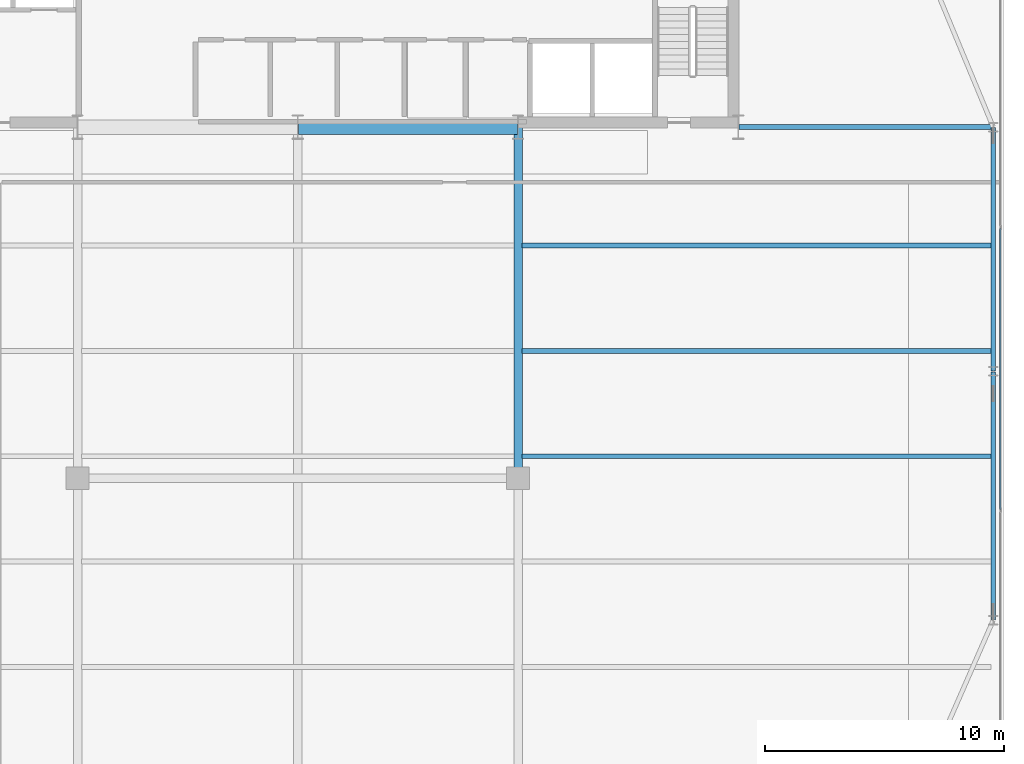
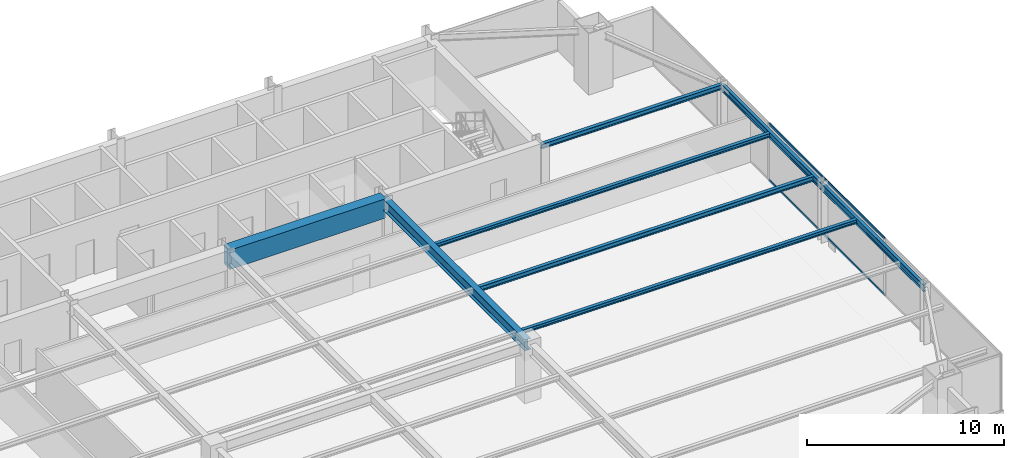
# One storey, part 19 of 32: 8 beams, 2 members, 1 element without a shape of its own.
"""IFC4 building model written with IfcOpenShell, lengths in metres."""

from ifc_helpers import new_model, si_unit, direction, frame, origin, origin_2d, place, context, subcontext, project, spatial, rectangle, hollow_rectangle, i_section, extrude, source, transform, mapped, material, layer, layer_set, material_profile, profile_set, type_object, type_shapes, element, aggregate, save


model = new_model("IFC4")

# Units and contexts
model_context = context("Model", 3, precision=1e-05, world=origin(), true_north=direction((0.0, 1.0)))
body_context = subcontext(model_context, "Body", "Model", "MODEL_VIEW")
ifc_project = project(units=[si_unit("LENGTHUNIT", "METRE"), si_unit("AREAUNIT", "SQUARE_METRE"), si_unit("VOLUMEUNIT", "CUBIC_METRE"), si_unit("PLANEANGLEUNIT", "RADIAN"), si_unit("MASSUNIT", "GRAM", prefix="KILO")], contexts=[model_context])

# Site, building, storey
site_placement = place(None, origin())
site = spatial("IfcSite", under=ifc_project, at=site_placement, CompositionType="ELEMENT")
building_placement = place(site_placement, origin())
building = spatial("IfcBuilding", under=site, at=building_placement, Name="Varnel Quay Broadcast Tower", CompositionType="ELEMENT")
storey_placement = place(building_placement, frame((0.0, 0.0, 90.800048828125)))
storey = spatial("IfcBuildingStorey", under=building, at=storey_placement, Name="L21", CompositionType="ELEMENT", Elevation=90.800048828125)

# Beams
ifc_material_1 = material(Name="Structural Steel CSA G40.21 350W", Category="steel")
ifc_material_profile_1 = material_profile(ifc_material_1, i_section(OverallWidth=0.180908203125, OverallDepth=0.4169921875, WebThickness=0.010986328125, FlangeThickness=0.018310546875, FilletRadius=0.011962890625, at=origin_2d()), Name="W410X85")
ifc_profile_set_1 = profile_set([ifc_material_profile_1], Name="Structural Steel CSA G40.21 350W")
beam_type_1 = type_object("IfcBeamType", Name="Beam_W410X85", PredefinedType="SPANDREL", material=ifc_profile_set_1)
shared_shape_1 = source(origin(), body_context, "Body", "SweptSolid", [
    extrude(i_section(OverallWidth=0.180908203125, OverallDepth=0.4169921875, WebThickness=0.010986328125, FlangeThickness=0.018310546875, FilletRadius=0.011962890625, at=origin_2d()), origin(), (0.0, 0.0, 1.0), 10.35986328125),
])
beam_1_placement = place(storey_placement, frame((63.050048828125, 15.02001953125, 3.341552734375), z_axis=(0.0, 1.0, 0.0), x_axis=(-1.0, 0.0, 0.0)))
element("IfcBeam", 1, at=beam_1_placement, inside=storey, type_object=beam_type_1, Name="L21 East Spandrel TC-E1-TC-E2", PredefinedType="SPANDREL", context=body_context, shape_type="MappedRepresentation", body=[
    mapped(shared_shape_1, transform((0.0, 0.0, 0.0), x_axis=(1.0, 0.0, 0.0), y_axis=(0.0, 1.0, 0.0), z_axis=(0.0, 0.0, 1.0), scale=1.0)),
])
shared_shape_2 = source(origin(), body_context, "Body", "SweptSolid", [
    extrude(i_section(OverallWidth=0.180908203125, OverallDepth=0.4169921875, WebThickness=0.010986328125, FlangeThickness=0.018310546875, FilletRadius=0.011962890625, at=origin_2d()), origin(), (0.0, 0.0, 1.0), 10.16015625),
])
type_shapes(beam_type_1, [shared_shape_1, shared_shape_2])
beam_2_placement = place(storey_placement, frame((63.050048828125, 25.419921875, 3.341552734375), z_axis=(0.0, 1.0, 0.0), x_axis=(-1.0, 0.0, 0.0)))
element("IfcBeam", 2, at=beam_2_placement, inside=storey, type_object=beam_type_1, Name="L21 East Spandrel TC-E2-TC-E3", PredefinedType="SPANDREL", context=body_context, shape_type="MappedRepresentation", body=[
    mapped(shared_shape_2, transform((0.0, 0.0, 0.0), x_axis=(1.0, 0.0, 0.0), y_axis=(0.0, 1.0, 0.0), z_axis=(0.0, 0.0, 1.0), scale=1.0)),
])
ifc_material_2 = material(Name="Concrete CSA A23.3 C60/75", Category="concrete")
ifc_material_profile_2 = material_profile(ifc_material_2, rectangle(XDim=0.60009765625, YDim=1.199951171875, at=origin_2d()), Name="RC600X1200")
ifc_profile_set_2 = profile_set([ifc_material_profile_2], Name="Concrete CSA A23.3 C60/75")
beam_type_2 = type_object("IfcBeamType", Name="Beam_RC600X1200", PredefinedType="BEAM", material=ifc_profile_set_2)
shared_shape_3 = source(origin(), body_context, "Body", "SweptSolid", [
    extrude(rectangle(XDim=0.60009765625, YDim=1.199951171875, at=origin_2d()), origin(), (0.0, 0.0, 1.0), 9.159912109375),
])
type_shapes(beam_type_2, [shared_shape_3])
beam_3_placement = place(storey_placement, frame((34.02001953125, 35.60009765625, 2.949951171875), z_axis=(1.0, 0.0, 0.0), x_axis=(0.0, 1.0, 0.0)))
element("IfcBeam", 3, at=beam_3_placement, inside=storey, type_object=beam_type_2, Name="L21 Core Coupling Beam E", PredefinedType="BEAM", context=body_context, shape_type="MappedRepresentation", body=[
    mapped(shared_shape_3, transform((0.0, 0.0, 0.0), x_axis=(1.0, 0.0, 0.0), y_axis=(0.0, 1.0, 0.0), z_axis=(0.0, 0.0, 1.0), scale=1.0)),
])
ifc_material_profile_3 = material_profile(ifc_material_1, i_section(OverallWidth=0.35498046875, OverallDepth=0.695068359375, WebThickness=0.015380859375, FlangeThickness=0.02490234375, FilletRadius=0.01806640625, at=origin_2d()), Name="W690X217")
ifc_profile_set_3 = profile_set([ifc_material_profile_3], Name="Structural Steel CSA G40.21 350W")
beam_type_3 = type_object("IfcBeamType", Name="Girder_W690X217", PredefinedType="BEAM", material=ifc_profile_set_3)
shared_shape_4 = source(origin(), body_context, "Body", "SweptSolid", [
    extrude(i_section(OverallWidth=0.35498046875, OverallDepth=0.695068359375, WebThickness=0.015380859375, FlangeThickness=0.02490234375, FilletRadius=0.01806640625, at=origin_2d()), origin(), (0.0, 0.0, 1.0), 14.630126953125),
])
type_shapes(beam_type_3, [shared_shape_4])
beam_4_placement = place(storey_placement, frame((43.199951171875, 20.949951171875, 3.202392578125), z_axis=(0.0, 1.0, 0.0), x_axis=(-1.0, 0.0, 0.0)))
element("IfcBeam", 4, at=beam_4_placement, inside=storey, type_object=beam_type_3, Name="L21 Primary Girder IC-02-CC-S4", PredefinedType="BEAM", context=body_context, shape_type="MappedRepresentation", body=[
    mapped(shared_shape_4, transform((0.0, 0.0, 0.0), x_axis=(1.0, 0.0, 0.0), y_axis=(0.0, 1.0, 0.0), z_axis=(0.0, 0.0, 1.0), scale=1.0)),
])
ifc_material_profile_4 = material_profile(ifc_material_1, i_section(OverallWidth=0.202880859375, OverallDepth=0.302978515625, WebThickness=0.007568359375, FlangeThickness=0.01318359375, FilletRadius=0.011962890625, at=origin_2d()), Name="W310X60")
ifc_profile_set_4 = profile_set([ifc_material_profile_4], Name="Structural Steel CSA G40.21 350W")
beam_type_4 = type_object("IfcBeamType", Name="Beam_W310X60", PredefinedType="JOIST", material=ifc_profile_set_4)
shared_shape_5 = source(origin(), body_context, "Body", "SweptSolid", [
    extrude(i_section(OverallWidth=0.202880859375, OverallDepth=0.302978515625, WebThickness=0.007568359375, FlangeThickness=0.01318359375, FilletRadius=0.011962890625, at=origin_2d()), origin(), (0.0, 0.0, 1.0), 10.610107421875),
])
beam_5_placement = place(storey_placement, frame((52.419921875, 35.60009765625, 3.3984375), z_axis=(1.0, 0.0, 0.0), x_axis=(0.0, 1.0, 0.0)))
element("IfcBeam", 5, at=beam_5_placement, inside=storey, type_object=beam_type_4, Name="L21 East Core Tie Joist", PredefinedType="JOIST", context=body_context, shape_type="MappedRepresentation", body=[
    mapped(shared_shape_5, transform((0.0, 0.0, 0.0), x_axis=(1.0, 0.0, 0.0), y_axis=(0.0, 1.0, 0.0), z_axis=(0.0, 0.0, 1.0), scale=1.0)),
])
shared_shape_6 = source(origin(), body_context, "Body", "SweptSolid", [
    extrude(i_section(OverallWidth=0.202880859375, OverallDepth=0.302978515625, WebThickness=0.007568359375, FlangeThickness=0.01318359375, FilletRadius=0.011962890625, at=origin_2d()), origin(), (0.0, 0.0, 1.0), 19.592041015625),
])
type_shapes(beam_type_4, [shared_shape_5, shared_shape_6])
beam_6_placement = place(storey_placement, frame((43.37255859375, 26.25, 3.3984375), z_axis=(1.0, 0.0, 0.0), x_axis=(0.0, 1.0, 0.0)))
element("IfcBeam", 6, at=beam_6_placement, inside=storey, type_object=beam_type_4, Name="L21 East Floor Joist 5", PredefinedType="JOIST", context=body_context, shape_type="MappedRepresentation", body=[
    mapped(shared_shape_6, transform((0.0, 0.0, 0.0), x_axis=(1.0, 0.0, 0.0), y_axis=(0.0, 1.0, 0.0), z_axis=(0.0, 0.0, 1.0), scale=1.0)),
])
ifc_material_profile_5 = material_profile(ifc_material_1, i_section(OverallWidth=0.201904296875, OverallDepth=0.2470703125, WebThickness=0.00732421875, FlangeThickness=0.010986328125, FilletRadius=0.010986328125, at=origin_2d()), Name="W250X49")
ifc_profile_set_5 = profile_set([ifc_material_profile_5], Name="Structural Steel CSA G40.21 350W")
beam_type_5 = type_object("IfcBeamType", Name="Beam_W250X49", PredefinedType="JOIST", material=ifc_profile_set_5)
shared_shape_7 = source(origin(), body_context, "Body", "SweptSolid", [
    extrude(i_section(OverallWidth=0.201904296875, OverallDepth=0.2470703125, WebThickness=0.00732421875, FlangeThickness=0.010986328125, FilletRadius=0.010986328125, at=origin_2d()), origin(), (0.0, 0.0, 1.0), 19.592041015625),
])
type_shapes(beam_type_5, [shared_shape_7])
for number, where, z_axis, x_axis, name in (
    (7, (43.37255859375, 21.85009765625, 3.426513671875), (1.0, 0.0, 0.0), (0.0, 1.0, 0.0), "L21 East Floor Joist 4"),
    (8, (43.37255859375, 30.64990234375, 3.426513671875), (1.0, 0.0, 0.0), (0.0, 1.0, 0.0), "L21 East Floor Joist 6"),
):
    element("IfcBeam", number, at=place(storey_placement, frame(where, z_axis=z_axis, x_axis=x_axis)), inside=storey, type_object=beam_type_5, Name=name, PredefinedType="JOIST", context=body_context, shape_type="MappedRepresentation", body=[
        mapped(shared_shape_7, transform((0.0, 0.0, 0.0), x_axis=(1.0, 0.0, 0.0), y_axis=(0.0, 1.0, 0.0), z_axis=(0.0, 0.0, 1.0), scale=1.0)),
    ])

# Curtain wall, members
ifc_material_3 = material(Name="Anodised Bronze Aluminium 6063-T6", Category="aluminium")
ifc_layer = layer(ifc_material_3, 0.18994140625, Name="Anodised Bronze Aluminium 6063-T6")
ifc_layer_set = layer_set([ifc_layer], Name="Anodised Bronze Aluminium 6063-T6")
curtain_wall_type = type_object("IfcCurtainWallType", Name="CW_LowerTower", PredefinedType="NOTDEFINED", material=ifc_layer_set)
curtain_wall_placement = place(storey_placement, origin())
curtain_wall = element("IfcCurtainWall", 9, at=curtain_wall_placement, inside=storey, type_object=curtain_wall_type, Name="L21 East Unitised Curtain Wall", PredefinedType="NOTDEFINED")
ifc_material_profile_6 = material_profile(ifc_material_3, hollow_rectangle(XDim=0.06005859375, YDim=0.14501953125, WallThickness=0.00341796875, at=origin_2d()), Name="ALU60X145X3.5")
ifc_profile_set_6 = profile_set([ifc_material_profile_6], Name="Anodised Bronze Aluminium 6063-T6")
member_type = type_object("IfcMemberType", Name="Tran_CWS-02", PredefinedType="USERDEFINED", material=ifc_profile_set_6)
shared_shape_8 = source(origin(), body_context, "Body", "SweptSolid", [
    extrude(hollow_rectangle(XDim=0.06005859375, YDim=0.14501953125, WallThickness=0.00341796875, at=origin_2d()), origin(), (0.0, 0.0, 1.0), 11.72998046875),
])
type_shapes(member_type, [shared_shape_8])
member_1_placement = place(storey_placement, frame((63.35009765625, 19.635009765625, 0.030029296875), z_axis=(0.0, 1.0, 0.0), x_axis=(-1.0, 0.0, 0.0)))
member_1 = element("IfcMember", 10, at=member_1_placement, type_object=member_type, Name="CWS-02 transom 2.1", ObjectType="TRANSOM", PredefinedType="USERDEFINED", context=body_context, shape_type="MappedRepresentation", body=[
    mapped(shared_shape_8, transform((0.0, 0.0, 0.0), x_axis=(1.0, 0.0, 0.0), y_axis=(0.0, 1.0, 0.0), z_axis=(0.0, 0.0, 1.0), scale=1.0)),
])
member_2_placement = place(storey_placement, frame((63.35009765625, 19.635009765625, 3.52001953125), z_axis=(0.0, 1.0, 0.0), x_axis=(-1.0, 0.0, 0.0)))
member_2 = element("IfcMember", 11, at=member_2_placement, type_object=member_type, Name="CWS-02 transom 2.2", ObjectType="TRANSOM", PredefinedType="USERDEFINED", context=body_context, shape_type="MappedRepresentation", body=[
    mapped(shared_shape_8, transform((0.0, 0.0, 0.0), x_axis=(1.0, 0.0, 0.0), y_axis=(0.0, 1.0, 0.0), z_axis=(0.0, 0.0, 1.0), scale=1.0)),
])
aggregate(curtain_wall, [member_1, member_2])

save(model, "model.ifc")
